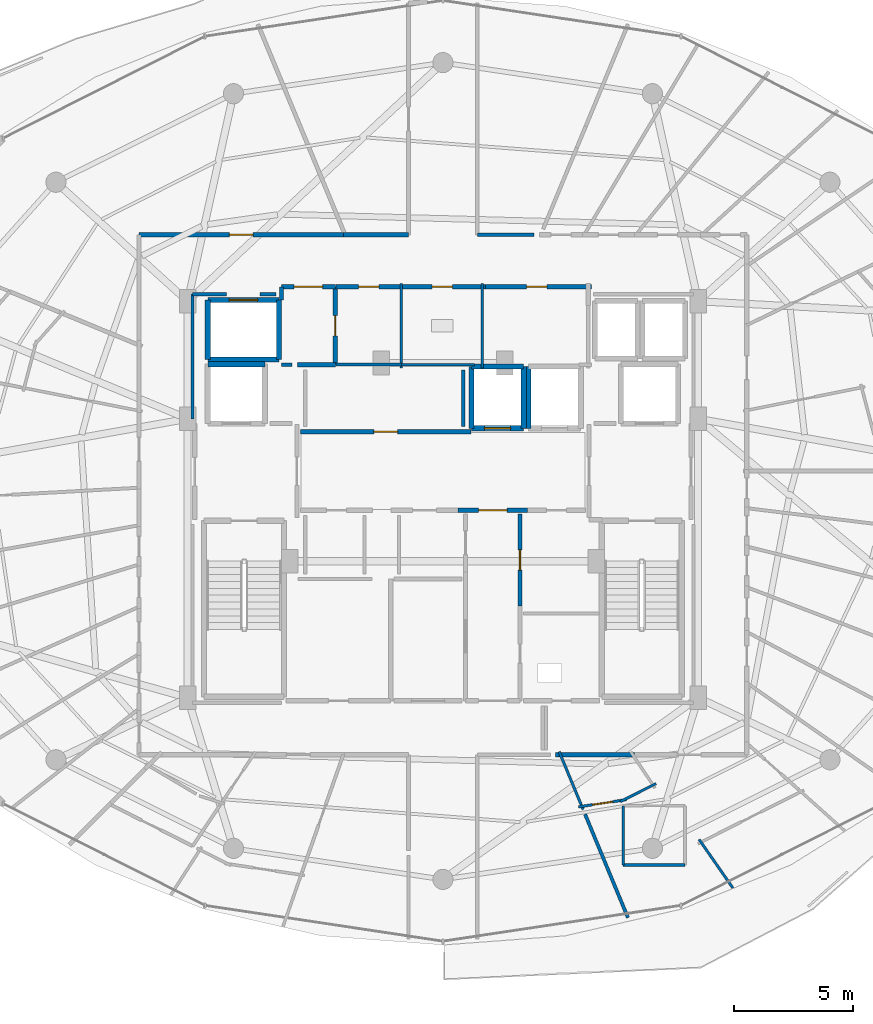
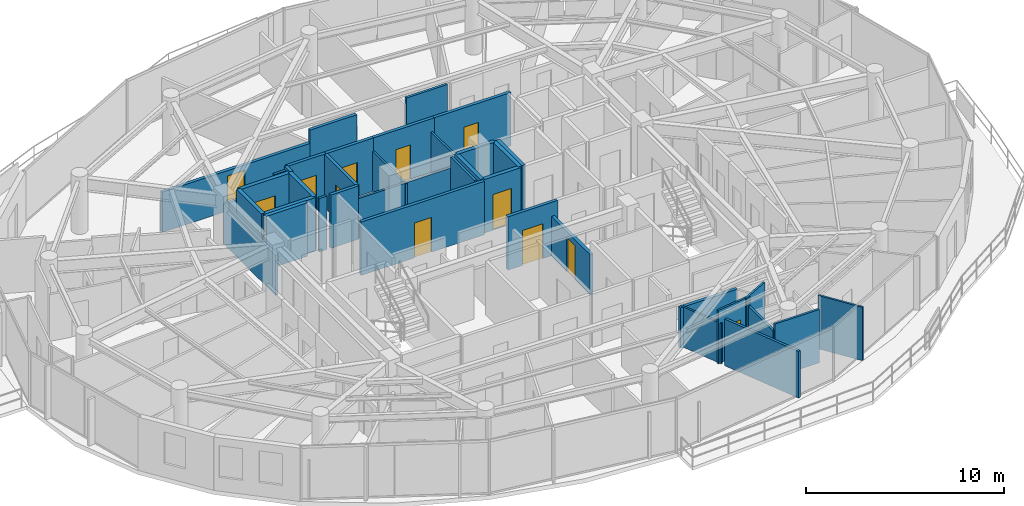
# One storey, part 22 of 29: 40 walls, 12 doors, 12 openings.
"""IFC4 building model written with IfcOpenShell, lengths in metres."""

import ifcopenshell
import ifcopenshell.guid

model = None  # the IFC model being written
_history = None  # IfcOwnerHistory: only IFC2X3 demands one
_inside = {}  # id of a spatial element -> (the spatial element, [elements in it])
_under = {}  # id of a project, library or spatial element -> (it, [spatial elements below it])
_declared = {}  # id of a project -> (the project, [libraries it declares])
_typed = {}  # id of a type object -> (the type object, [elements of that type])
_made_of = {}  # id of a material, layer set ... -> (it, [elements and type objects made of it])


def new_model(schema):
    """Start an empty IFC model of exactly this schema.

    Asked for "IFC4X3", IfcOpenShell would pick the latest addendum, in which some entities
    have other attributes; the version numbers below select the first issue.
    IFC2X3 requires an IfcOwnerHistory on every rooted entity: one is made here for all.
    """
    global model, _history
    if schema == "IFC4X3":
        model = ifcopenshell.file(schema_version=(4, 3, 0, 0))
    else:
        model = ifcopenshell.file(schema=schema)
    _inside.clear()
    _under.clear()
    _declared.clear()
    _typed.clear()
    _made_of.clear()
    _history = None
    if model.schema == "IFC2X3":
        org = make("IfcOrganization", Name="unknown")
        user = make(
            "IfcPersonAndOrganization",
            ThePerson=make("IfcPerson", FamilyName="unknown"),
            TheOrganization=org,
        )
        app = make(
            "IfcApplication",
            ApplicationDeveloper=org,
            Version="unknown",
            ApplicationFullName="unknown",
            ApplicationIdentifier="unknown",
        )
        _history = make(
            "IfcOwnerHistory",
            OwningUser=user,
            OwningApplication=app,
            ChangeAction="ADDED",
            CreationDate=0,
        )
    return model


def make(cls, **values):
    """One entity of the class cls with the attributes given. An attribute that is None is left unset."""
    return model.create_entity(
        cls, **{name: value for name, value in values.items() if value is not None}
    )


def rooted(cls, **values):
    """An entity with a GlobalId (a new one), such as an element, a storey or a relation."""
    return make(cls, GlobalId=ifcopenshell.guid.new(), OwnerHistory=_history, **values)


def si_unit(unit_type, name, prefix=None):
    """IfcSIUnit, for example si_unit("LENGTHUNIT", "METRE", prefix="MILLI")."""
    return make("IfcSIUnit", UnitType=unit_type, Prefix=prefix, Name=name)


def assignment(units):
    """IfcUnitAssignment: the units of a project."""
    return None if units is None else make("IfcUnitAssignment", Units=units)


def point(xyz):
    """IfcCartesianPoint."""
    return None if xyz is None else make("IfcCartesianPoint", Coordinates=xyz)


def direction(xyz):
    """IfcDirection."""
    return None if xyz is None else make("IfcDirection", DirectionRatios=xyz)


def frame(location, z_axis=None, x_axis=None):
    """IfcAxis2Placement3D, a coordinate frame: its origin and axes. An axis left out is left unset."""
    return make(
        "IfcAxis2Placement3D",
        Location=point(location),
        Axis=direction(z_axis),
        RefDirection=direction(x_axis),
    )


def frame_2d(location, x_axis=None):
    """IfcAxis2Placement2D, a coordinate frame in the plane: its origin and x axis."""
    return make(
        "IfcAxis2Placement2D", Location=point(location), RefDirection=direction(x_axis)
    )


def origin():
    """The frame at (0, 0, 0) with its axes left unset."""
    return frame((0.0, 0.0, 0.0))


def place(relative_to, where):
    """IfcLocalPlacement: puts the frame where relative to a parent placement (None: the world)."""
    return make(
        "IfcLocalPlacement", PlacementRelTo=relative_to, RelativePlacement=where
    )


def context(
    kind, dimensions, precision=None, world=None, true_north=None, identifier=None
):
    """IfcGeometricRepresentationContext, for example the 3D "Model" context."""
    return make(
        "IfcGeometricRepresentationContext",
        ContextIdentifier=identifier,
        ContextType=kind,
        CoordinateSpaceDimension=dimensions,
        Precision=precision,
        WorldCoordinateSystem=world,
        TrueNorth=true_north,
    )


def subcontext(parent, identifier, kind, view, scale=None):
    """IfcGeometricRepresentationSubContext, for example "Body" below "Model"."""
    return make(
        "IfcGeometricRepresentationSubContext",
        ContextIdentifier=identifier,
        ContextType=kind,
        ParentContext=parent,
        TargetScale=scale,
        TargetView=view,
    )


def project(units=None, contexts=None):
    """IfcProject with its units and contexts."""
    return rooted(
        "IfcProject",
        Name="project",
        RepresentationContexts=contexts,
        UnitsInContext=assignment(units),
    )


def spatial(cls, under=None, at=None, **own):
    """A site, building, storey or space (cls), placed at a placement, below another one or the project."""
    s = rooted(cls, ObjectPlacement=at, **own)
    if under is not None:
        _under.setdefault(under.id(), (under, []))[1].append(s)
    return s


def profile(cls, at=None, kind="AREA", **sizes):
    """A parametric profile (cls). Its sizes go by their IFC names, for example OverallWidth=200.0."""
    return make(cls, ProfileType=kind, Position=at, **sizes)


def rectangle(**sizes):
    """IfcRectangleProfileDef."""
    return profile("IfcRectangleProfileDef", **sizes)


def extrude(swept, where, along, depth):
    """IfcExtrudedAreaSolid: the profile swept, set in the frame where, extruded along a direction by depth."""
    return make(
        "IfcExtrudedAreaSolid",
        SweptArea=swept,
        Position=where,
        ExtrudedDirection=direction(along),
        Depth=depth,
    )


def shape(context_of_items, identifier, shape_type, items):
    """IfcShapeRepresentation: the items that make up one representation, for example the "Body"."""
    return make(
        "IfcShapeRepresentation",
        ContextOfItems=context_of_items,
        RepresentationIdentifier=identifier,
        RepresentationType=shape_type,
        Items=items,
    )


def material(Name=None, Category=None):
    """IfcMaterial."""
    return make("IfcMaterial", Name=Name, Category=Category)


def layer(
    of_material, thickness, ventilated=None, Name=None, Category=None, Priority=None
):
    """IfcMaterialLayer: one layer of a wall or slab, of a material (None: an air gap)."""
    return make(
        "IfcMaterialLayer",
        Material=of_material,
        LayerThickness=thickness,
        IsVentilated=ventilated,
        Name=Name,
        Category=Category,
        Priority=Priority,
    )


def layer_set(layers, Name=None):
    """IfcMaterialLayerSet."""
    return make("IfcMaterialLayerSet", MaterialLayers=layers, LayerSetName=Name)


def made_of(thing, what):
    """Note that an element or type object is made of a material, layer set ...; save() writes the relation."""
    if what is not None:
        _made_of.setdefault(what.id(), (what, []))[1].append(thing)
    return thing


def type_object(cls, material=None, **own):
    """A type object (cls), such as IfcWallType, which elements share."""
    return made_of(rooted(cls, **own), material)


def element(
    cls,
    number,
    at=None,
    inside=None,
    cuts=None,
    type_object=None,
    material=None,
    context=None,
    identifier="Body",
    shape_type=None,
    held_by="IfcProductDefinitionShape",
    body=None,
    shapes=None,
    **own,
):
    """One element of the class cls, such as IfcWall. Its Tag is "e" and its number.

    at: its placement. inside: the storey or other place that contains it. cuts: it is an
    opening in that element (IfcRelVoidsElement). A single representation is given by context,
    identifier, shape_type and body (its items); several are given by shapes. held_by: the class
    of the entity that holds the representations. save() writes the other relations.
    """
    e = rooted(cls, Tag="e%d" % number, ObjectPlacement=at, **own)
    if body is not None:
        shapes = [shape(context, identifier, shape_type, body)]
    if shapes is not None:
        e.Representation = make(held_by, Representations=shapes)
    if inside is not None:
        _inside.setdefault(inside.id(), (inside, []))[1].append(e)
    if cuts is not None:
        rooted(
            "IfcRelVoidsElement", RelatingBuildingElement=cuts, RelatedOpeningElement=e
        )
    if type_object is not None:
        _typed.setdefault(type_object.id(), (type_object, []))[1].append(e)
    return made_of(e, material)


def fill(opening, filler):
    """IfcRelFillsElement: the door or window that sits in an opening."""
    return rooted(
        "IfcRelFillsElement",
        RelatingOpeningElement=opening,
        RelatedBuildingElement=filler,
    )


def aggregate(whole, parts):
    """IfcRelAggregates: a whole, such as a stair, and the parts it consists of."""
    return rooted("IfcRelAggregates", RelatingObject=whole, RelatedObjects=parts)


def save(model, path):
    """Write the relations noted so far, then the file.

    IfcRelAggregates (storeys below a building ...), IfcRelContainedInSpatialStructure (elements
    in a storey), IfcRelDefinesByType, IfcRelAssociatesMaterial and IfcRelDeclares: one each for
    every whole, place, type object, material and project.
    """
    for whole, parts in _under.values():
        aggregate(whole, parts)
    for where, things in _inside.values():
        rooted(
            "IfcRelContainedInSpatialStructure",
            RelatedElements=things,
            RelatingStructure=where,
        )
    for kind, things in _typed.values():
        rooted("IfcRelDefinesByType", RelatedObjects=things, RelatingType=kind)
    for what, things in _made_of.values():
        rooted("IfcRelAssociatesMaterial", RelatedObjects=things, RelatingMaterial=what)
    for by, libraries in _declared.values():
        rooted("IfcRelDeclares", RelatingContext=by, RelatedDefinitions=libraries)
    model.write(path)


model = new_model("IFC4")

# Units and contexts
model_context = context("Model", 3, precision=1e-05, world=origin(), true_north=direction((0.0, 1.0)))
body_context = subcontext(model_context, "Body", "Model", "MODEL_VIEW")
ifc_project = project(units=[si_unit("LENGTHUNIT", "METRE"), si_unit("AREAUNIT", "SQUARE_METRE"), si_unit("VOLUMEUNIT", "CUBIC_METRE"), si_unit("PLANEANGLEUNIT", "RADIAN"), si_unit("MASSUNIT", "GRAM", prefix="KILO")], contexts=[model_context])

# Site, building, storey
site_placement = place(None, origin())
site = spatial("IfcSite", under=ifc_project, at=site_placement, CompositionType="ELEMENT")
building_placement = place(site_placement, origin())
building = spatial("IfcBuilding", under=site, at=building_placement, Name="Vorneva Point Tower", CompositionType="ELEMENT")
storey_placement = place(building_placement, frame((0.0, 0.0, 255.550048828125)))
storey = spatial("IfcBuildingStorey", under=building, at=storey_placement, Name="L69", CompositionType="ELEMENT", Elevation=255.550048828125)

# Walls
ifc_material_1 = material(Name="Concrete B60 (C50/60)", Category="concrete")
ifc_layer_1 = layer(ifc_material_1, 0.35009765625)
ifc_layer_set_1 = layer_set([ifc_layer_1], Name="Concrete B60 (C50/60)")
wall_type_1 = type_object("IfcWallType", Name="WL-CORE-350", PredefinedType="SHEAR", material=ifc_layer_set_1)
wall_1_placement = place(storey_placement, frame((30.5, 30.5, 0.0), z_axis=(0.0, 0.0, 1.0), x_axis=(-1.0, 0.0, 0.0)))
element("IfcWall", 1, at=wall_1_placement, inside=storey, type_object=wall_type_1, Name="L69 Lift FFL1 Shaft Wall +Y", PredefinedType="SHEAR", context=body_context, shape_type="SweptSolid", body=[
    extrude(rectangle(XDim=2.39990234375, YDim=0.219970703125, at=frame_2d((1.199951171875, 0.0))), origin(), (0.0, 0.0, 1.0), 3.2900390625),
])
ifc_material_2 = material(Name="Fire-rated acoustic gypsum stud partition", Category="gypsum")
ifc_layer_2 = layer(ifc_material_2, 0.110107421875)
ifc_layer_set_2 = layer_set([ifc_layer_2], Name="Fire-rated acoustic gypsum stud partition")
wall_type_2 = type_object("IfcWallType", Name="WL-PART-110", PredefinedType="PARTITIONING", material=ifc_layer_set_2)
for number, where, z_axis, x_axis, name in (
    (2, (36.25, 30.340087890625, 0.0), (0.0, 0.0, 1.0), (0.0, 1.0, 0.0), "L69 Interior Partition 022"),
    (3, (39.64990234375, 30.340087890625, 0.0), (0.0, 0.0, 1.0), (0.0, 1.0, 0.0), "L69 Interior Partition 025"),
):
    element("IfcWall", number, at=place(storey_placement, frame(where, z_axis=z_axis, x_axis=x_axis)), inside=storey, type_object=wall_type_2, Name=name, PredefinedType="PARTITIONING", context=body_context, shape_type="SweptSolid", body=[
        extrude(rectangle(XDim=3.559814453125, YDim=0.110107421875, at=frame_2d((1.77978515625, 0.0))), origin(), (0.0, 0.0, 1.0), 2.48193359375),
    ])
wall_2_placement = place(storey_placement, frame((36.159912109375, 30.47998046875, 0.0), z_axis=(0.0, 0.0, 1.0), x_axis=(1.0, 0.0, 0.0)))
element("IfcWall", 4, at=wall_2_placement, inside=storey, type_object=wall_type_2, Name="L69 Interior Partition 026", PredefinedType="PARTITIONING", context=body_context, shape_type="SweptSolid", body=[
    extrude(rectangle(XDim=3.16015625, YDim=0.110107421875, at=frame_2d((1.580078125, 0.0))), origin(), (0.0, 0.0, 1.0), 2.48193359375),
])
wall_3_placement = place(storey_placement, frame((46.97509765625, 12.836181640625, 0.0), z_axis=(0.0, 0.0, 1.0), x_axis=(-0.892715322691, -0.450621074332, 0.0)))
element("IfcWall", 5, at=wall_3_placement, inside=storey, type_object=wall_type_2, Name="L69 Interior Partition 108", PredefinedType="PARTITIONING", context=body_context, shape_type="SweptSolid", body=[
    extrude(rectangle(XDim=1.689208984375, YDim=0.110107421875, at=frame_2d((0.8447265625, 0.0))), origin(), (0.0, 0.0, 1.0), 3.2900390625),
])

# Wall, opening, door
wall_4_placement = place(storey_placement, frame((45.73046875, 12.15869140625, 0.0), z_axis=(0.0, 0.0, 1.0), x_axis=(-0.98887923552, -0.148720736812, 0.0)))
wall_4 = element("IfcWall", 6, at=wall_4_placement, inside=storey, type_object=wall_type_2, Name="L69 Interior Partition 109", PredefinedType="PARTITIONING", context=body_context, shape_type="SweptSolid", body=[
    extrude(rectangle(XDim=2.04052734375, YDim=0.110107421875, at=frame_2d((1.020263671875, 0.0))), origin(), (0.0, 0.0, 1.0), 3.2900390625),
])
opening_1_placement = place(wall_4_placement, frame((0.59521484375, 0.0, 0.0)))
opening_1 = element("IfcOpeningElement", 7, at=opening_1_placement, cuts=wall_4, Name="Opening ID-02", PredefinedType="OPENING", context=body_context, shape_type="SweptSolid", body=[
    extrude(rectangle(XDim=0.85009765625, YDim=2.10009765625, at=frame_2d((0.425048828125, 1.050048828125))), frame((0.0, 0.06982421875, 0.0), z_axis=(0.0, -1.0, 0.0), x_axis=(1.0, 0.0, 0.0)), (0.0, 0.0, 1.0), 0.139892578125),
])
ifc_material_3 = material(Name="Engineered oak fire-rated door leaf", Category="wood")
door_type_1 = type_object("IfcDoorType", Name="DR-BATH-850", OperationType="NOTDEFINED", PredefinedType="DOOR", material=ifc_material_3)
door_1_placement = place(opening_1_placement, origin())
door_1 = element("IfcDoor", 8, at=door_1_placement, inside=storey, type_object=door_type_1, Name="L69 Door Living and Dining Room L69-03 / Bathroom L69-03", OperationType="SINGLE_SWING_LEFT", OverallHeight=2.10009765625, OverallWidth=0.85009765625, PredefinedType="DOOR", context=body_context, shape_type="SweptSolid", body=[
    extrude(rectangle(XDim=0.85009765625, YDim=2.10009765625, at=frame_2d((0.425048828125, 1.050048828125))), frame((0.0, 0.02490234375, 0.0), z_axis=(0.0, -1.0, 0.0), x_axis=(1.0, 0.0, 0.0)), (0.0, 0.0, 1.0), 0.050048828125),
])
fill(opening_1, door_1)

# Walls
wall_5_placement = place(storey_placement, frame((43.904541015625, 11.74658203125, 0.0), z_axis=(0.0, 0.0, 1.0), x_axis=(-0.38282398209, 0.923821302383, 0.0)))
element("IfcWall", 9, at=wall_5_placement, inside=storey, type_object=wall_type_2, Name="L69 Interior Partition 110", PredefinedType="PARTITIONING", context=body_context, shape_type="SweptSolid", body=[
    extrude(rectangle(XDim=2.63330078125, YDim=0.110107421875, at=frame_2d((1.316650390625, 0.0))), origin(), (0.0, 0.0, 1.0), 2.48193359375),
])
wall_6_placement = place(storey_placement, frame((50.212890625, 8.43603515625, 0.0), z_axis=(0.0, 0.0, 1.0), x_axis=(-0.571041537148, 0.820921167258, 0.0)))
element("IfcWall", 10, at=wall_6_placement, inside=storey, type_object=wall_type_2, Name="L69 Interior Partition 113", PredefinedType="PARTITIONING", context=body_context, shape_type="SweptSolid", body=[
    extrude(rectangle(XDim=2.493408203125, YDim=0.110107421875, at=frame_2d((1.24658203125, 0.0))), origin(), (0.0, 0.0, 1.0), 3.2900390625),
])
ifc_layer_3 = layer(ifc_material_2, 0.125)
ifc_layer_set_3 = layer_set([ifc_layer_3], Name="Fire-rated acoustic gypsum stud partition")
wall_type_3 = type_object("IfcWallType", Name="WL-PART-125", PredefinedType="PARTITIONING", material=ifc_layer_set_3)
wall_7_placement = place(storey_placement, frame((33.5, 30.47998046875, 0.0), z_axis=(0.0, 0.0, 1.0), x_axis=(1.0, 0.0, 0.0)))
element("IfcWall", 11, at=wall_7_placement, inside=storey, type_object=wall_type_3, Name="L69 Interior Partition 023", PredefinedType="PARTITIONING", context=body_context, shape_type="SweptSolid", body=[
    extrude(rectangle(XDim=2.75, YDim=0.125, at=frame_2d((1.375, 0.0))), origin(), (0.0, 0.0, 1.0), 2.48193359375),
])
wall_8_placement = place(storey_placement, frame((45.593994140625, 11.902099609375, 0.0), z_axis=(0.0, 0.0, 1.0), x_axis=(0.0, -1.0, 0.0)))
element("IfcWall", 12, at=wall_8_placement, inside=storey, type_object=wall_type_3, Name="L69 Interior Partition 115", PredefinedType="PARTITIONING", context=body_context, shape_type="SweptSolid", body=[
    extrude(rectangle(XDim=2.5, YDim=0.125, at=frame_2d((1.25, 0.0))), origin(), (0.0, 0.0, 1.0), 2.8740234375),
])
wall_9_placement = place(storey_placement, frame((45.593994140625, 9.402099609375, 0.0), z_axis=(0.0, 0.0, 1.0), x_axis=(1.0, 0.0, 0.0)))
element("IfcWall", 13, at=wall_9_placement, inside=storey, type_object=wall_type_3, Name="L69 Interior Partition 116", PredefinedType="PARTITIONING", context=body_context, shape_type="SweptSolid", body=[
    extrude(rectangle(XDim=2.60009765625, YDim=0.125, at=frame_2d((1.300048828125, 0.0))), origin(), (0.0, 0.0, 1.0), 3.2900390625),
])
ifc_layer_4 = layer(ifc_material_2, 0.139892578125)
ifc_layer_set_4 = layer_set([ifc_layer_4], Name="Fire-rated acoustic gypsum stud partition")
wall_type_4 = type_object("IfcWallType", Name="WL-PART-140", PredefinedType="PARTITIONING", material=ifc_layer_set_4)
wall_10_placement = place(storey_placement, frame((31.199951171875, 30.47998046875, 0.0), z_axis=(0.0, 0.0, 1.0), x_axis=(1.0, 0.0, 0.0)))
element("IfcWall", 14, at=wall_10_placement, inside=storey, type_object=wall_type_4, Name="L69 Interior Closure Partition 145", PredefinedType="PARTITIONING", context=body_context, shape_type="SweptSolid", body=[
    extrude(rectangle(XDim=0.449951171875, YDim=0.139892578125, at=frame_2d((0.22509765625, 0.0))), origin(), (0.0, 0.0, 1.0), 3.2900390625),
])
wall_11_placement = place(storey_placement, frame((38.85009765625, 27.8701171875, 0.0), z_axis=(0.0, 0.0, 1.0), x_axis=(0.0, 1.0, 0.0)))
element("IfcWall", 15, at=wall_11_placement, inside=storey, type_object=wall_type_4, Name="L69 Interior Closure Partition 149", PredefinedType="PARTITIONING", context=body_context, shape_type="SweptSolid", body=[
    extrude(rectangle(XDim=2.389892578125, YDim=0.139892578125, at=frame_2d((1.19482421875, 0.0))), origin(), (0.0, 0.0, 1.0), 3.2900390625),
])
wall_12_placement = place(storey_placement, frame((41.841064453125, 35.949951171875, 0.0), z_axis=(0.0, 0.0, 1.0), x_axis=(-1.0, 0.0, 0.0)))
element("IfcWall", 16, at=wall_12_placement, inside=storey, type_object=wall_type_4, Name="L69 Interior Closure Partition 156", PredefinedType="PARTITIONING", context=body_context, shape_type="SweptSolid", body=[
    extrude(rectangle(XDim=2.39111328125, YDim=0.139892578125, at=frame_2d((1.195556640625, 0.0))), origin(), (0.0, 0.0, 1.0), 3.2900390625),
])
wall_13_placement = place(storey_placement, frame((30.97998046875, 33.449951171875, 0.0), z_axis=(0.0, 0.0, 1.0), x_axis=(-1.0, 0.0, 0.0)))
element("IfcWall", 17, at=wall_13_placement, inside=storey, type_object=wall_type_4, Name="L69 Interior Closure Partition 163", PredefinedType="PARTITIONING", context=body_context, shape_type="SweptSolid", body=[
    extrude(rectangle(XDim=0.674072265625, YDim=0.139892578125, at=frame_2d((0.3369140625, 0.0))), origin(), (0.0, 0.0, 1.0), 3.2900390625),
])
wall_14_placement = place(storey_placement, frame((28.89404296875, 33.449951171875, 0.0), z_axis=(0.0, 0.0, 1.0), x_axis=(-1.0, 0.0, 0.0)))
element("IfcWall", 18, at=wall_14_placement, inside=storey, type_object=wall_type_4, Name="L69 Interior Closure Partition 164", PredefinedType="PARTITIONING", context=body_context, shape_type="SweptSolid", body=[
    extrude(rectangle(XDim=1.444091796875, YDim=0.139892578125, at=frame_2d((0.72216796875, 0.0))), origin(), (0.0, 0.0, 1.0), 2.48193359375),
])
wall_15_placement = place(storey_placement, frame((27.449951171875, 33.449951171875, 0.0), z_axis=(0.0, 0.0, 1.0), x_axis=(0.0, -1.0, 0.0)))
element("IfcWall", 19, at=wall_15_placement, inside=storey, type_object=wall_type_4, Name="L69 Interior Closure Partition 165", PredefinedType="PARTITIONING", context=body_context, shape_type="SweptSolid", body=[
    extrude(rectangle(XDim=5.25390625, YDim=0.139892578125, at=frame_2d((2.626953125, 0.0))), origin(), (0.0, 0.0, 1.0), 2.48193359375),
])
wall_16_placement = place(storey_placement, frame((43.988037109375, 11.54296875, 0.0), z_axis=(0.0, 0.0, 1.0), x_axis=(0.382798409849, -0.923831898895, 0.0)))
element("IfcWall", 20, at=wall_16_placement, inside=storey, type_object=wall_type_4, Name="L69 Interior Closure Partition 169", PredefinedType="PARTITIONING", context=body_context, shape_type="SweptSolid", body=[
    extrude(rectangle(XDim=4.715087890625, YDim=0.139892578125, at=frame_2d((2.357421875, 0.0))), origin(), (0.0, 0.0, 1.0), 2.8740234375),
])

# Wall, opening, door
ifc_material_4 = material(Name="Autoclaved aerated concrete blockwork", Category="masonry")
ifc_layer_5 = layer(ifc_material_4, 0.179931640625)
ifc_layer_set_5 = layer_set([ifc_layer_5], Name="Autoclaved aerated concrete blockwork")
wall_type_5 = type_object("IfcWallType", Name="WL-PART-180", PredefinedType="PARTITIONING", material=ifc_layer_set_5)
wall_17_placement = place(storey_placement, frame((33.469970703125, 30.47998046875, 0.0), z_axis=(0.0, 0.0, 1.0), x_axis=(0.0, 1.0, 0.0)))
wall_17 = element("IfcWall", 21, at=wall_17_placement, inside=storey, type_object=wall_type_5, Name="L69 Interior Partition 006", PredefinedType="PARTITIONING", context=body_context, shape_type="SweptSolid", body=[
    extrude(rectangle(XDim=3.280029296875, YDim=0.179931640625, at=frame_2d((1.64013671875, 0.0))), origin(), (0.0, 0.0, 1.0), 3.2900390625),
])
opening_2_placement = place(wall_17_placement, frame((1.215087890625, 0.0, 0.0)))
opening_2 = element("IfcOpeningElement", 22, at=opening_2_placement, cuts=wall_17, Name="Opening ID-02", PredefinedType="OPENING", context=body_context, shape_type="SweptSolid", body=[
    extrude(rectangle(XDim=0.85009765625, YDim=2.10009765625, at=frame_2d((0.425048828125, 1.050048828125))), frame((0.0, 0.10498046875, 0.0), z_axis=(0.0, -1.0, 0.0), x_axis=(1.0, 0.0, 0.0)), (0.0, 0.0, 1.0), 0.209716796875),
])
door_2_placement = place(opening_2_placement, origin())
door_2 = element("IfcDoor", 23, at=door_2_placement, inside=storey, type_object=door_type_1, Name="L69 Door Service Lift Lobby / Core Supply Store", OperationType="SINGLE_SWING_LEFT", OverallHeight=2.10009765625, OverallWidth=0.85009765625, PredefinedType="DOOR", context=body_context, shape_type="SweptSolid", body=[
    extrude(rectangle(XDim=0.85009765625, YDim=2.10009765625, at=frame_2d((0.425048828125, 1.050048828125))), frame((0.0, 0.02490234375, 0.0), z_axis=(0.0, -1.0, 0.0), x_axis=(1.0, 0.0, 0.0)), (0.0, 0.0, 1.0), 0.050048828125),
])
fill(opening_2, door_2)

# Wall
wall_18_placement = place(storey_placement, frame((31.8701171875, 30.47998046875, 0.0), z_axis=(0.0, 0.0, 1.0), x_axis=(1.0, 0.0, 0.0)))
element("IfcWall", 24, at=wall_18_placement, inside=storey, type_object=wall_type_5, Name="L69 Interior Partition 007", PredefinedType="PARTITIONING", context=body_context, shape_type="SweptSolid", body=[
    extrude(rectangle(XDim=1.599853515625, YDim=0.179931640625, at=frame_2d((0.7998046875, 0.0))), origin(), (0.0, 0.0, 1.0), 3.2900390625),
])

# Wall, opening, door
wall_19_placement = place(storey_placement, frame((33.469970703125, 33.760009765625, 0.0), z_axis=(0.0, 0.0, 1.0), x_axis=(-1.0, 0.0, 0.0)))
wall_19 = element("IfcWall", 25, at=wall_19_placement, inside=storey, type_object=wall_type_5, Name="L69 Interior Partition 008", PredefinedType="PARTITIONING", context=body_context, shape_type="SweptSolid", body=[
    extrude(rectangle(XDim=2.27001953125, YDim=0.179931640625, at=frame_2d((1.135009765625, 0.0))), origin(), (0.0, 0.0, 1.0), 3.2900390625),
])
opening_3_placement = place(wall_19_placement, frame((0.534912109375, 0.0, 0.0)))
opening_3 = element("IfcOpeningElement", 26, at=opening_3_placement, cuts=wall_19, Name="Opening FD-02", PredefinedType="OPENING", context=body_context, shape_type="SweptSolid", body=[
    extrude(rectangle(XDim=1.199951171875, YDim=2.14990234375, at=frame_2d((0.60009765625, 1.074951171875))), frame((0.0, 0.10498046875, 0.0), z_axis=(0.0, -1.0, 0.0), x_axis=(1.0, 0.0, 0.0)), (0.0, 0.0, 1.0), 0.209716796875),
])
ifc_material_5 = material(Name="Fire-rated powder-coated steel", Category="steel")
door_type_2 = type_object("IfcDoorType", Name="DR-FFL-1200", OperationType="NOTDEFINED", PredefinedType="DOOR", material=ifc_material_5)
door_3_placement = place(opening_3_placement, origin())
door_3 = element("IfcDoor", 27, at=door_3_placement, inside=storey, type_object=door_type_2, Name="L69 Door Service Lift Lobby / L69 Circulation Corridor", OperationType="SINGLE_SWING_RIGHT", OverallHeight=2.14990234375, OverallWidth=1.199951171875, PredefinedType="DOOR", context=body_context, shape_type="SweptSolid", body=[
    extrude(rectangle(XDim=1.199951171875, YDim=2.14990234375, at=frame_2d((0.60009765625, 1.074951171875))), frame((0.0, 0.02490234375, 0.0), z_axis=(0.0, -1.0, 0.0), x_axis=(1.0, 0.0, 0.0)), (0.0, 0.0, 1.0), 0.050048828125),
])
fill(opening_3, door_3)

# Wall
wall_20_placement = place(storey_placement, frame((31.199951171875, 33.760009765625, 0.0), z_axis=(0.0, 0.0, 1.0), x_axis=(0.0, -1.0, 0.0)))
element("IfcWall", 28, at=wall_20_placement, inside=storey, type_object=wall_type_5, Name="L69 Interior Partition 009", PredefinedType="PARTITIONING", context=body_context, shape_type="SweptSolid", body=[
    extrude(rectangle(XDim=0.56005859375, YDim=0.179931640625, at=frame_2d((0.280029296875, 0.0))), origin(), (0.0, 0.0, 1.0), 3.2900390625),
])

# Wall, opening, door
wall_21_placement = place(storey_placement, frame((38.64501953125, 24.35009765625, 0.0), z_axis=(0.0, 0.0, 1.0), x_axis=(1.0, 0.0, 0.0)))
wall_21 = element("IfcWall", 29, at=wall_21_placement, inside=storey, type_object=wall_type_5, Name="L69 Interior Partition 010", PredefinedType="PARTITIONING", context=body_context, shape_type="SweptSolid", body=[
    extrude(rectangle(XDim=2.909912109375, YDim=0.179931640625, at=frame_2d((1.455078125, 0.0))), origin(), (0.0, 0.0, 1.0), 3.2900390625),
])
opening_4_placement = place(wall_21_placement, frame((0.85498046875, 0.0, 0.0)))
opening_4 = element("IfcOpeningElement", 30, at=opening_4_placement, cuts=wall_21, Name="Opening FD-02", PredefinedType="OPENING", context=body_context, shape_type="SweptSolid", body=[
    extrude(rectangle(XDim=1.199951171875, YDim=2.14990234375, at=frame_2d((0.60009765625, 1.074951171875))), frame((0.0, 0.10498046875, 0.0), z_axis=(0.0, -1.0, 0.0), x_axis=(1.0, 0.0, 0.0)), (0.0, 0.0, 1.0), 0.209716796875),
])
door_4_placement = place(opening_4_placement, origin())
door_4 = element("IfcDoor", 31, at=door_4_placement, inside=storey, type_object=door_type_2, Name="L69 Door Central Lift Lobby / Core Service Lobby", OperationType="SINGLE_SWING_LEFT", OverallHeight=2.14990234375, OverallWidth=1.199951171875, PredefinedType="DOOR", context=body_context, shape_type="SweptSolid", body=[
    extrude(rectangle(XDim=1.199951171875, YDim=2.14990234375, at=frame_2d((0.60009765625, 1.074951171875))), frame((0.0, 0.02490234375, 0.0), z_axis=(0.0, -1.0, 0.0), x_axis=(1.0, 0.0, 0.0)), (0.0, 0.0, 1.0), 0.050048828125),
])
fill(opening_4, door_4)

wall_22_placement = place(storey_placement, frame((39.18994140625, 27.64990234375, 0.0), z_axis=(0.0, 0.0, 1.0), x_axis=(-1.0, 0.0, 0.0)))
wall_22 = element("IfcWall", 32, at=wall_22_placement, inside=storey, type_object=wall_type_5, Name="L69 Interior Partition 012", PredefinedType="PARTITIONING", context=body_context, shape_type="SweptSolid", body=[
    extrude(rectangle(XDim=7.18994140625, YDim=0.179931640625, at=frame_2d((3.594970703125, 0.0))), origin(), (0.0, 0.0, 1.0), 3.2900390625),
])
opening_5_placement = place(wall_22_placement, frame((3.094970703125, 0.0, 0.0)))
opening_5 = element("IfcOpeningElement", 33, at=opening_5_placement, cuts=wall_22, Name="Opening UD-01", PredefinedType="OPENING", context=body_context, shape_type="SweptSolid", body=[
    extrude(rectangle(XDim=1.0, YDim=2.14990234375, at=frame_2d((0.5, 1.074951171875))), frame((0.0, 0.10498046875, 0.0), z_axis=(0.0, -1.0, 0.0), x_axis=(1.0, 0.0, 0.0)), (0.0, 0.0, 1.0), 0.209716796875),
])
door_type_3 = type_object("IfcDoorType", Name="DR-UNIT-1000", OperationType="NOTDEFINED", PredefinedType="DOOR", material=ifc_material_3)
door_5_placement = place(opening_5_placement, origin())
door_5 = element("IfcDoor", 34, at=door_5_placement, inside=storey, type_object=door_type_3, Name="L69 Door Central Lift Lobby / Reclaimed Core Meeting Room", OperationType="SINGLE_SWING_LEFT", OverallHeight=2.14990234375, OverallWidth=1.0, PredefinedType="DOOR", context=body_context, shape_type="SweptSolid", body=[
    extrude(rectangle(XDim=1.0, YDim=2.14990234375, at=frame_2d((0.5, 1.074951171875))), frame((0.0, 0.02490234375, 0.0), z_axis=(0.0, -1.0, 0.0), x_axis=(1.0, 0.0, 0.0)), (0.0, 0.0, 1.0), 0.050048828125),
])
fill(opening_5, door_5)

wall_23_placement = place(storey_placement, frame((41.25, 20.304931640625, 0.0), z_axis=(0.0, 0.0, 1.0), x_axis=(0.0, 1.0, 0.0)))
wall_23 = element("IfcWall", 35, at=wall_23_placement, inside=storey, type_object=wall_type_5, Name="L69 Interior Partition 016", PredefinedType="PARTITIONING", context=body_context, shape_type="SweptSolid", body=[
    extrude(rectangle(XDim=3.89501953125, YDim=0.179931640625, at=frame_2d((1.947509765625, 0.0))), origin(), (0.0, 0.0, 1.0), 2.48193359375),
])
opening_6_placement = place(wall_23_placement, frame((1.5224609375, 0.0, 0.0)))
opening_6 = element("IfcOpeningElement", 36, at=opening_6_placement, cuts=wall_23, Name="Opening ID-02", PredefinedType="OPENING", context=body_context, shape_type="SweptSolid", body=[
    extrude(rectangle(XDim=0.85009765625, YDim=2.10009765625, at=frame_2d((0.425048828125, 1.050048828125))), frame((0.0, 0.10498046875, 0.0), z_axis=(0.0, -1.0, 0.0), x_axis=(1.0, 0.0, 0.0)), (0.0, 0.0, 1.0), 0.209716796875),
])
door_6_placement = place(opening_6_placement, origin())
door_6 = element("IfcDoor", 37, at=door_6_placement, inside=storey, type_object=door_type_1, Name="L69 Door Core Service Lobby / Valet and Parcel Room", OperationType="SINGLE_SWING_LEFT", OverallHeight=2.10009765625, OverallWidth=0.85009765625, PredefinedType="DOOR", context=body_context, shape_type="SweptSolid", body=[
    extrude(rectangle(XDim=0.85009765625, YDim=2.10009765625, at=frame_2d((0.425048828125, 1.050048828125))), frame((0.0, 0.02490234375, 0.0), z_axis=(0.0, -1.0, 0.0), x_axis=(1.0, 0.0, 0.0)), (0.0, 0.0, 1.0), 0.050048828125),
])
fill(opening_6, door_6)

wall_24_placement = place(storey_placement, frame((36.25, 33.760009765625, 0.0), z_axis=(0.0, 0.0, 1.0), x_axis=(-1.0, 0.0, 0.0)))
wall_24 = element("IfcWall", 38, at=wall_24_placement, inside=storey, type_object=wall_type_5, Name="L69 Interior Partition 024", PredefinedType="PARTITIONING", context=body_context, shape_type="SweptSolid", body=[
    extrude(rectangle(XDim=2.75, YDim=0.179931640625, at=frame_2d((1.375, 0.0))), origin(), (0.0, 0.0, 1.0), 3.2900390625),
])
opening_7_placement = place(wall_24_placement, frame((0.949951171875, 0.0, 0.0)))
opening_7 = element("IfcOpeningElement", 39, at=opening_7_placement, cuts=wall_24, Name="Opening ID-02", PredefinedType="OPENING", context=body_context, shape_type="SweptSolid", body=[
    extrude(rectangle(XDim=0.85009765625, YDim=2.10009765625, at=frame_2d((0.425048828125, 1.050048828125))), frame((0.0, 0.10498046875, 0.0), z_axis=(0.0, -1.0, 0.0), x_axis=(1.0, 0.0, 0.0)), (0.0, 0.0, 1.0), 0.209716796875),
])
door_7_placement = place(opening_7_placement, origin())
door_7 = element("IfcDoor", 40, at=door_7_placement, inside=storey, type_object=door_type_1, Name="L69 Door Core Supply Store / L69 Circulation Corridor", OperationType="SINGLE_SWING_RIGHT", OverallHeight=2.10009765625, OverallWidth=0.85009765625, PredefinedType="DOOR", context=body_context, shape_type="SweptSolid", body=[
    extrude(rectangle(XDim=0.85009765625, YDim=2.10009765625, at=frame_2d((0.425048828125, 1.050048828125))), frame((0.0, 0.02490234375, 0.0), z_axis=(0.0, -1.0, 0.0), x_axis=(1.0, 0.0, 0.0)), (0.0, 0.0, 1.0), 0.050048828125),
])
fill(opening_7, door_7)

wall_25_placement = place(storey_placement, frame((39.7900390625, 33.760009765625, 0.0), z_axis=(0.0, 0.0, 1.0), x_axis=(-1.0, 0.0, 0.0)))
wall_25 = element("IfcWall", 41, at=wall_25_placement, inside=storey, type_object=wall_type_5, Name="L69 Interior Partition 027", PredefinedType="PARTITIONING", context=body_context, shape_type="SweptSolid", body=[
    extrude(rectangle(XDim=3.630126953125, YDim=0.179931640625, at=frame_2d((1.81494140625, 0.0))), origin(), (0.0, 0.0, 1.0), 3.2900390625),
])
opening_8_placement = place(wall_25_placement, frame((1.389892578125, 0.0, 0.0)))
opening_8 = element("IfcOpeningElement", 42, at=opening_8_placement, cuts=wall_25, Name="Opening ID-02", PredefinedType="OPENING", context=body_context, shape_type="SweptSolid", body=[
    extrude(rectangle(XDim=0.85009765625, YDim=2.10009765625, at=frame_2d((0.425048828125, 1.050048828125))), frame((0.0, 0.10498046875, 0.0), z_axis=(0.0, -1.0, 0.0), x_axis=(1.0, 0.0, 0.0)), (0.0, 0.0, 1.0), 0.209716796875),
])
door_8_placement = place(opening_8_placement, origin())
door_8 = element("IfcDoor", 43, at=door_8_placement, inside=storey, type_object=door_type_1, Name="L69 Door Accessible WC / L69 Circulation Corridor", OperationType="SINGLE_SWING_LEFT", OverallHeight=2.10009765625, OverallWidth=0.85009765625, PredefinedType="DOOR", context=body_context, shape_type="SweptSolid", body=[
    extrude(rectangle(XDim=0.85009765625, YDim=2.10009765625, at=frame_2d((0.425048828125, 1.050048828125))), frame((0.0, 0.02490234375, 0.0), z_axis=(0.0, -1.0, 0.0), x_axis=(1.0, 0.0, 0.0)), (0.0, 0.0, 1.0), 0.050048828125),
])
fill(opening_8, door_8)

wall_26_placement = place(storey_placement, frame((44.260009765625, 33.760009765625, 0.0), z_axis=(0.0, 0.0, 1.0), x_axis=(-1.0, 0.0, 0.0)))
wall_26 = element("IfcWall", 44, at=wall_26_placement, inside=storey, type_object=wall_type_5, Name="L69 Interior Partition 028", PredefinedType="PARTITIONING", context=body_context, shape_type="SweptSolid", body=[
    extrude(rectangle(XDim=4.610107421875, YDim=0.179931640625, at=frame_2d((2.30517578125, 0.0))), origin(), (0.0, 0.0, 1.0), 3.2900390625),
])
opening_9_placement = place(wall_26_placement, frame((1.8798828125, 0.0, 0.0)))
opening_9 = element("IfcOpeningElement", 45, at=opening_9_placement, cuts=wall_26, Name="Opening ID-02", PredefinedType="OPENING", context=body_context, shape_type="SweptSolid", body=[
    extrude(rectangle(XDim=0.85009765625, YDim=2.10009765625, at=frame_2d((0.425048828125, 1.050048828125))), frame((0.0, 0.10498046875, 0.0), z_axis=(0.0, -1.0, 0.0), x_axis=(1.0, 0.0, 0.0)), (0.0, 0.0, 1.0), 0.209716796875),
])
door_9_placement = place(opening_9_placement, origin())
door_9 = element("IfcDoor", 46, at=door_9_placement, inside=storey, type_object=door_type_1, Name="L69 Door Public WC / L69 Circulation Corridor", OperationType="SINGLE_SWING_RIGHT", OverallHeight=2.10009765625, OverallWidth=0.85009765625, PredefinedType="DOOR", context=body_context, shape_type="SweptSolid", body=[
    extrude(rectangle(XDim=0.85009765625, YDim=2.10009765625, at=frame_2d((0.425048828125, 1.050048828125))), frame((0.0, 0.02490234375, 0.0), z_axis=(0.0, -1.0, 0.0), x_axis=(1.0, 0.0, 0.0)), (0.0, 0.0, 1.0), 0.050048828125),
])
fill(opening_9, door_9)

# Walls
wall_27_placement = place(storey_placement, frame((42.75, 14.050048828125, 0.0), z_axis=(0.0, 0.0, 1.0), x_axis=(1.0, 0.0, 0.0)))
element("IfcWall", 47, at=wall_27_placement, inside=storey, type_object=wall_type_5, Name="L69 Interior Partition 050", PredefinedType="PARTITIONING", context=body_context, shape_type="SweptSolid", body=[
    extrude(rectangle(XDim=3.325927734375, YDim=0.179931640625, at=frame_2d((1.6630859375, 0.0))), origin(), (0.0, 0.0, 1.0), 2.48193359375),
])
wall_28_placement = place(storey_placement, frame((36.550048828125, 35.949951171875, 0.0), z_axis=(0.0, 0.0, 1.0), x_axis=(-1.0, 0.0, 0.0)))
element("IfcWall", 48, at=wall_28_placement, inside=storey, type_object=wall_type_5, Name="L69 Interior Partition 067", PredefinedType="PARTITIONING", context=body_context, shape_type="SweptSolid", body=[
    extrude(rectangle(XDim=2.736083984375, YDim=0.179931640625, at=frame_2d((1.3681640625, 0.0))), origin(), (0.0, 0.0, 1.0), 3.2900390625),
])

# Wall, opening, door
wall_29_placement = place(storey_placement, frame((33.81396484375, 35.949951171875, 0.0), z_axis=(0.0, 0.0, 1.0), x_axis=(-1.0, 0.0, 0.0)))
wall_29 = element("IfcWall", 49, at=wall_29_placement, inside=storey, type_object=wall_type_5, Name="L69 Interior Partition 068", PredefinedType="PARTITIONING", context=body_context, shape_type="SweptSolid", body=[
    extrude(rectangle(XDim=8.614013671875, YDim=0.179931640625, at=frame_2d((4.30712890625, 0.0))), origin(), (0.0, 0.0, 1.0), 2.48193359375),
])
opening_10_placement = place(wall_29_placement, frame((3.806884765625, 0.0, 0.0)))
opening_10 = element("IfcOpeningElement", 50, at=opening_10_placement, cuts=wall_29, Name="Opening UD-01", PredefinedType="OPENING", context=body_context, shape_type="SweptSolid", body=[
    extrude(rectangle(XDim=1.0, YDim=2.14990234375, at=frame_2d((0.5, 1.074951171875))), frame((0.0, 0.10498046875, 0.0), z_axis=(0.0, -1.0, 0.0), x_axis=(1.0, 0.0, 0.0)), (0.0, 0.0, 1.0), 0.209716796875),
])
door_10_placement = place(opening_10_placement, origin())
door_10 = element("IfcDoor", 51, at=door_10_placement, inside=storey, type_object=door_type_3, Name="L69 Door L69 Circulation Corridor / Residents Co-Working Office L69-06", OperationType="SINGLE_SWING_RIGHT", OverallHeight=2.14990234375, OverallWidth=1.0, PredefinedType="DOOR", context=body_context, shape_type="SweptSolid", body=[
    extrude(rectangle(XDim=1.0, YDim=2.14990234375, at=frame_2d((0.5, 1.074951171875))), frame((0.0, 0.02490234375, 0.0), z_axis=(0.0, -1.0, 0.0), x_axis=(1.0, 0.0, 0.0)), (0.0, 0.0, 1.0), 0.050048828125),
])
fill(opening_10, door_10)

ifc_material_6 = material(Name="Concrete B50 (C40/50)", Category="concrete")
ifc_layer_6 = layer(ifc_material_6, 0.219970703125)
ifc_layer_set_6 = layer_set([ifc_layer_6], Name="Concrete B50 (C40/50)")
wall_type_6 = type_object("IfcWallType", Name="WL-SHFT-220", PredefinedType="SOLIDWALL", material=ifc_layer_set_6)
wall_30_placement = place(storey_placement, frame((39.199951171875, 27.800048828125, 0.0), z_axis=(0.0, 0.0, 1.0), x_axis=(1.0, 0.0, 0.0)))
wall_30 = element("IfcWall", 52, at=wall_30_placement, inside=storey, type_object=wall_type_6, Name="L69 Lift PL7 Shaft Wall -Y", PredefinedType="SOLIDWALL", context=body_context, shape_type="SweptSolid", body=[
    extrude(rectangle(XDim=2.199951171875, YDim=0.219970703125, at=frame_2d((1.10009765625, 0.0))), origin(), (0.0, 0.0, 1.0), 3.2900390625),
])
opening_11_placement = place(wall_30_placement, frame((0.550048828125, 0.0, 0.0)))
opening_11 = element("IfcOpeningElement", 53, at=opening_11_placement, cuts=wall_30, Name="Opening LD-01", PredefinedType="OPENING", context=body_context, shape_type="SweptSolid", body=[
    extrude(rectangle(XDim=1.10009765625, YDim=2.199951171875, at=frame_2d((0.550048828125, 1.10009765625))), frame((0.0, 0.125, 0.0), z_axis=(0.0, -1.0, 0.0), x_axis=(1.0, 0.0, 0.0)), (0.0, 0.0, 1.0), 0.249755859375),
])
ifc_material_7 = material(Name="Brushed stainless steel S304", Category="steel")
door_type_4 = type_object("IfcDoorType", Name="LD-PASS-1100", OperationType="SLIDING_TO_LEFT", PredefinedType="DOOR", material=ifc_material_7)
door_11_placement = place(opening_11_placement, origin())
door_11 = element("IfcDoor", 54, at=door_11_placement, inside=storey, type_object=door_type_4, Name="L69 Lift PL7 Sliding Landing Door", OperationType="SLIDING_TO_LEFT", OverallHeight=2.199951171875, OverallWidth=1.10009765625, PredefinedType="DOOR", context=body_context, shape_type="SweptSolid", body=[
    extrude(rectangle(XDim=1.10009765625, YDim=2.199951171875, at=frame_2d((0.550048828125, 1.10009765625))), frame((0.0, 0.02490234375, 0.0), z_axis=(0.0, -1.0, 0.0), x_axis=(1.0, 0.0, 0.0)), (0.0, 0.0, 1.0), 0.050048828125),
])
fill(opening_11, door_11)

# Walls
wall_31_placement = place(storey_placement, frame((41.39990234375, 27.800048828125, 0.0), z_axis=(0.0, 0.0, 1.0), x_axis=(0.0, 1.0, 0.0)))
element("IfcWall", 55, at=wall_31_placement, inside=storey, type_object=wall_type_6, Name="L69 Lift PL7 Shaft Wall +X", PredefinedType="SOLIDWALL", context=body_context, shape_type="SweptSolid", body=[
    extrude(rectangle(XDim=2.599853515625, YDim=0.219970703125, at=frame_2d((1.2998046875, 0.0))), origin(), (0.0, 0.0, 1.0), 3.2900390625),
])
wall_32_placement = place(storey_placement, frame((41.39990234375, 30.39990234375, 0.0), z_axis=(0.0, 0.0, 1.0), x_axis=(-1.0, 0.0, 0.0)))
element("IfcWall", 56, at=wall_32_placement, inside=storey, type_object=wall_type_6, Name="L69 Lift PL7 Shaft Wall +Y", PredefinedType="SOLIDWALL", context=body_context, shape_type="SweptSolid", body=[
    extrude(rectangle(XDim=2.199951171875, YDim=0.219970703125, at=frame_2d((1.10009765625, 0.0))), origin(), (0.0, 0.0, 1.0), 3.2900390625),
])
for number, where, z_axis, x_axis, name in (
    (57, (39.199951171875, 30.39990234375, 0.0), (0.0, 0.0, 1.0), (0.0, -1.0, 0.0), "L69 Lift PL7 Shaft Wall -X"),
    (58, (41.60009765625, 30.39990234375, 0.0), (0.0, 0.0, 1.0), (0.0, -1.0, 0.0), "L69 Lift PL8 Shaft Wall -X"),
):
    element("IfcWall", number, at=place(storey_placement, frame(where, z_axis=z_axis, x_axis=x_axis)), inside=storey, type_object=wall_type_6, Name=name, PredefinedType="SOLIDWALL", context=body_context, shape_type="SweptSolid", body=[
        extrude(rectangle(XDim=2.599853515625, YDim=0.219970703125, at=frame_2d((1.2998046875, 0.0))), origin(), (0.0, 0.0, 1.0), 3.2900390625),
    ])
wall_33_placement = place(storey_placement, frame((28.10009765625, 30.699951171875, 0.0), z_axis=(0.0, 0.0, 1.0), x_axis=(1.0, 0.0, 0.0)))
element("IfcWall", 59, at=wall_33_placement, inside=storey, type_object=wall_type_6, Name="L69 Lift SVL1 Shaft Wall -Y", PredefinedType="SOLIDWALL", context=body_context, shape_type="SweptSolid", body=[
    extrude(rectangle(XDim=3.0, YDim=0.219970703125, at=frame_2d((1.5, 0.0))), origin(), (0.0, 0.0, 1.0), 3.2900390625),
])
wall_34_placement = place(storey_placement, frame((31.10009765625, 30.699951171875, 0.0), z_axis=(0.0, 0.0, 1.0), x_axis=(0.0, 1.0, 0.0)))
element("IfcWall", 60, at=wall_34_placement, inside=storey, type_object=wall_type_6, Name="L69 Lift SVL1 Shaft Wall +X", PredefinedType="SOLIDWALL", context=body_context, shape_type="SweptSolid", body=[
    extrude(rectangle(XDim=2.5, YDim=0.219970703125, at=frame_2d((1.25, 0.0))), origin(), (0.0, 0.0, 1.0), 3.2900390625),
])

# Wall, opening, door
wall_35_placement = place(storey_placement, frame((31.10009765625, 33.199951171875, 0.0), z_axis=(0.0, 0.0, 1.0), x_axis=(-1.0, 0.0, 0.0)))
wall_35 = element("IfcWall", 61, at=wall_35_placement, inside=storey, type_object=wall_type_6, Name="L69 Lift SVL1 Shaft Wall +Y", PredefinedType="SOLIDWALL", context=body_context, shape_type="SweptSolid", body=[
    extrude(rectangle(XDim=3.0, YDim=0.219970703125, at=frame_2d((1.5, 0.0))), origin(), (0.0, 0.0, 1.0), 3.2900390625),
])
opening_12_placement = place(wall_35_placement, frame((0.89990234375, 0.0, 0.0)))
opening_12 = element("IfcOpeningElement", 62, at=opening_12_placement, cuts=wall_35, Name="Opening LD-02", PredefinedType="OPENING", context=body_context, shape_type="SweptSolid", body=[
    extrude(rectangle(XDim=1.199951171875, YDim=2.199951171875, at=frame_2d((0.60009765625, 1.10009765625))), frame((0.0, 0.125, 0.0), z_axis=(0.0, -1.0, 0.0), x_axis=(1.0, 0.0, 0.0)), (0.0, 0.0, 1.0), 0.249755859375),
])
door_type_5 = type_object("IfcDoorType", Name="LD-FIRE-1200", OperationType="SLIDING_TO_LEFT", PredefinedType="DOOR", material=ifc_material_7)
door_12_placement = place(opening_12_placement, origin())
door_12 = element("IfcDoor", 63, at=door_12_placement, inside=storey, type_object=door_type_5, Name="L69 Lift SVL1 Sliding Landing Door", OperationType="SLIDING_TO_LEFT", OverallHeight=2.199951171875, OverallWidth=1.199951171875, PredefinedType="DOOR", context=body_context, shape_type="SweptSolid", body=[
    extrude(rectangle(XDim=1.199951171875, YDim=2.199951171875, at=frame_2d((0.60009765625, 1.10009765625))), frame((0.0, 0.02490234375, 0.0), z_axis=(0.0, -1.0, 0.0), x_axis=(1.0, 0.0, 0.0)), (0.0, 0.0, 1.0), 0.050048828125),
])
fill(opening_12, door_12)

# Wall
wall_36_placement = place(storey_placement, frame((28.10009765625, 33.199951171875, 0.0), z_axis=(0.0, 0.0, 1.0), x_axis=(0.0, -1.0, 0.0)))
element("IfcWall", 64, at=wall_36_placement, inside=storey, type_object=wall_type_6, Name="L69 Lift SVL1 Shaft Wall -X", PredefinedType="SOLIDWALL", context=body_context, shape_type="SweptSolid", body=[
    extrude(rectangle(XDim=2.5, YDim=0.219970703125, at=frame_2d((1.25, 0.0))), origin(), (0.0, 0.0, 1.0), 3.2900390625),
])

save(model, "model.ifc")
